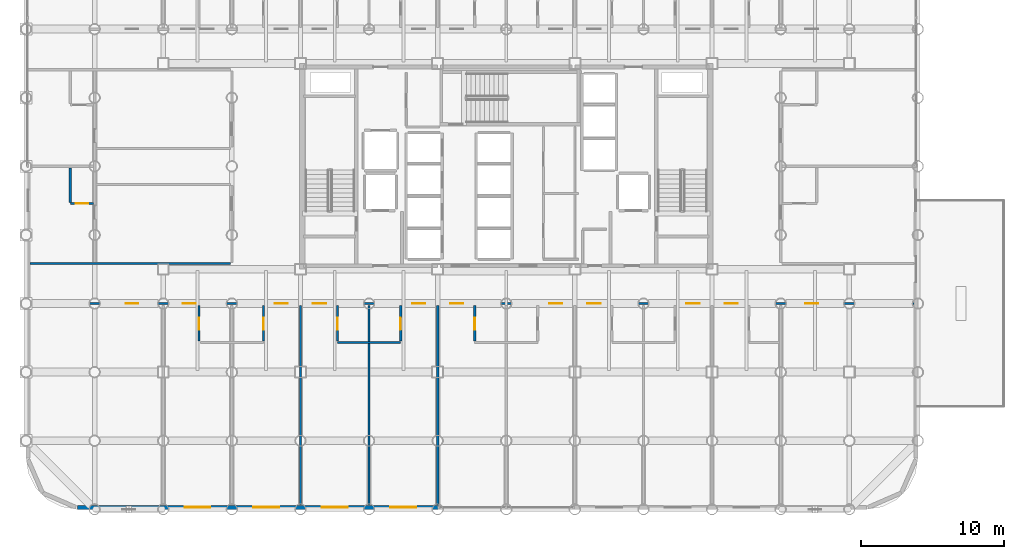
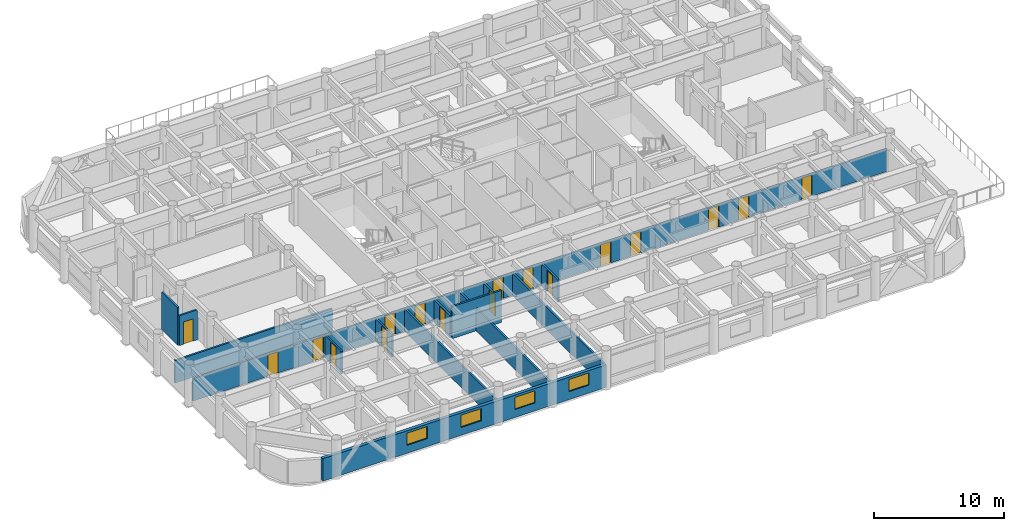
# One storey, part 17 of 24: 17 doors, 14 walls, 4 windows, 21 openings.
"""IFC4 building model written with IfcOpenShell, lengths in metres."""

from ifc_helpers import new_model, si_unit, direction, frame, frame_2d, origin, place, context, subcontext, project, spatial, rectangle, extrude, material, layer, layer_set, type_object, element, fill, save


model = new_model("IFC4")

# Units and contexts
model_context = context("Model", 3, precision=1e-05, world=origin(), true_north=direction((0.0, 1.0)))
body_context = subcontext(model_context, "Body", "Model", "MODEL_VIEW")
ifc_project = project(units=[si_unit("LENGTHUNIT", "METRE"), si_unit("AREAUNIT", "SQUARE_METRE"), si_unit("VOLUMEUNIT", "CUBIC_METRE"), si_unit("PLANEANGLEUNIT", "RADIAN"), si_unit("MASSUNIT", "GRAM", prefix="KILO")], contexts=[model_context])

# Site, building, storey
site_placement = place(None, origin())
site = spatial("IfcSite", under=ifc_project, at=site_placement, CompositionType="ELEMENT")
building_placement = place(site_placement, origin())
building = spatial("IfcBuilding", under=site, at=building_placement, Name="Kallvorn Hotel Tower", CompositionType="ELEMENT")
storey_placement = place(building_placement, frame((0.0, 0.0, 30.0)))
storey = spatial("IfcBuildingStorey", under=building, at=storey_placement, Name="L05", CompositionType="ELEMENT", Elevation=30.0)

# Wall
ifc_material_1 = material(Name="Fire-rated double-layer acoustic gypsum drywall EI 60")
ifc_layer_1 = layer(ifc_material_1, 0.159912109375)
ifc_layer_set_1 = layer_set([ifc_layer_1], Name="WL_DEMISE_160")
wall_type_1 = type_object("IfcWallType", Name="WL_DEMISE_160", PredefinedType="PARTITIONING", material=ifc_layer_set_1)
wall_1_placement = place(storey_placement, frame((-11.81005859375, -12.320068359375, 0.0), z_axis=(0.0, 0.0, 1.0), x_axis=(1.0, 0.0, 0.0)))
element("IfcWall", 1, at=wall_1_placement, inside=storey, type_object=wall_type_1, Name="L05 Suite 507 Superior Twin Room Partition", PredefinedType="PARTITIONING", context=body_context, shape_type="SweptSolid", body=[
    extrude(rectangle(XDim=4.420166015625, YDim=0.159912109375, at=frame_2d((2.2099609375, 0.0))), origin(), (0.0, 0.0, 1.0), 3.02001953125),
])

# Wall, openings, doors
wall_2_placement = place(storey_placement, frame((-33.31005859375, -9.60009765625, 0.0), z_axis=(0.0, 0.0, 1.0), x_axis=(1.0, 0.0, 0.0)))
wall_2 = element("IfcWall", 2, at=wall_2_placement, inside=storey, type_object=wall_type_1, Name="L05 Suite 505 Superior Twin Room Partition", PredefinedType="PARTITIONING", context=body_context, shape_type="SweptSolid", body=[
    extrude(rectangle(XDim=61.820068359375, YDim=0.159912109375, at=frame_2d((30.91015625, 0.0))), origin(), (0.0, 0.0, 1.0), 2.1201171875),
])
opening_1_placement = place(wall_2_placement, frame((6.679443359375, 0.0, 0.0)))
opening_1 = element("IfcOpeningElement", 3, at=opening_1_placement, cuts=wall_2, Name="Opening SVD1A", PredefinedType="OPENING", context=body_context, shape_type="SweptSolid", body=[
    extrude(rectangle(XDim=0.89990234375, YDim=2.02001953125, at=frame_2d((0.449951171875, 1.010009765625))), frame((0.0, 0.094970703125, 0.0), z_axis=(0.0, -1.0, 0.0), x_axis=(1.0, 0.0, 0.0)), (0.0, 0.0, 1.0), 0.18994140625),
])
opening_2_placement = place(wall_2_placement, frame((54.240478515625, 0.0, 0.0)))
opening_2 = element("IfcOpeningElement", 4, at=opening_2_placement, cuts=wall_2, Name="Opening SVD1A", PredefinedType="OPENING", context=body_context, shape_type="SweptSolid", body=[
    extrude(rectangle(XDim=0.89990234375, YDim=2.02001953125, at=frame_2d((0.449951171875, 1.010009765625))), frame((0.0, 0.094970703125, 0.0), z_axis=(0.0, -1.0, 0.0), x_axis=(1.0, 0.0, 0.0)), (0.0, 0.0, 1.0), 0.18994140625),
])
opening_3_placement = place(wall_2_placement, frame((10.679931640625, 0.0, 0.0)))
opening_3 = element("IfcOpeningElement", 5, at=opening_3_placement, cuts=wall_2, Name="Opening GD1A", PredefinedType="OPENING", context=body_context, shape_type="SweptSolid", body=[
    extrude(rectangle(XDim=0.919921875, YDim=2.02001953125, at=frame_2d((0.4599609375, 1.010009765625))), frame((0.0, 0.094970703125, 0.0), z_axis=(0.0, -1.0, 0.0), x_axis=(1.0, 0.0, 0.0)), (0.0, 0.0, 1.0), 0.18994140625),
])
opening_4_placement = place(wall_2_placement, frame((17.114990234375, 0.0, 0.0)))
opening_4 = element("IfcOpeningElement", 6, at=opening_4_placement, cuts=wall_2, Name="Opening GD1A", PredefinedType="OPENING", context=body_context, shape_type="SweptSolid", body=[
    extrude(rectangle(XDim=0.919921875, YDim=2.02001953125, at=frame_2d((0.4599609375, 1.010009765625))), frame((0.0, 0.094970703125, 0.0), z_axis=(0.0, -1.0, 0.0), x_axis=(1.0, 0.0, 0.0)), (0.0, 0.0, 1.0), 0.18994140625),
])
opening_5_placement = place(wall_2_placement, frame((19.784912109375, 0.0, 0.0)))
opening_5 = element("IfcOpeningElement", 7, at=opening_5_placement, cuts=wall_2, Name="Opening GD1A", PredefinedType="OPENING", context=body_context, shape_type="SweptSolid", body=[
    extrude(rectangle(XDim=0.919921875, YDim=2.02001953125, at=frame_2d((0.4599609375, 1.010009765625))), frame((0.0, 0.094970703125, 0.0), z_axis=(0.0, -1.0, 0.0), x_axis=(1.0, 0.0, 0.0)), (0.0, 0.0, 1.0), 0.18994140625),
])
opening_6_placement = place(wall_2_placement, frame((26.715087890625, 0.0, 0.0)))
opening_6 = element("IfcOpeningElement", 8, at=opening_6_placement, cuts=wall_2, Name="Opening GD1A", PredefinedType="OPENING", context=body_context, shape_type="SweptSolid", body=[
    extrude(rectangle(XDim=0.919921875, YDim=2.02001953125, at=frame_2d((0.4599609375, 1.010009765625))), frame((0.0, 0.094970703125, 0.0), z_axis=(0.0, -1.0, 0.0), x_axis=(1.0, 0.0, 0.0)), (0.0, 0.0, 1.0), 0.18994140625),
])
opening_7_placement = place(wall_2_placement, frame((29.385009765625, 0.0, 0.0)))
opening_7 = element("IfcOpeningElement", 9, at=opening_7_placement, cuts=wall_2, Name="Opening GD1A", PredefinedType="OPENING", context=body_context, shape_type="SweptSolid", body=[
    extrude(rectangle(XDim=0.919921875, YDim=2.02001953125, at=frame_2d((0.4599609375, 1.010009765625))), frame((0.0, 0.094970703125, 0.0), z_axis=(0.0, -1.0, 0.0), x_axis=(1.0, 0.0, 0.0)), (0.0, 0.0, 1.0), 0.18994140625),
])
opening_8_placement = place(wall_2_placement, frame((36.31494140625, 0.0, 0.0)))
opening_8 = element("IfcOpeningElement", 10, at=opening_8_placement, cuts=wall_2, Name="Opening GD1A", PredefinedType="OPENING", context=body_context, shape_type="SweptSolid", body=[
    extrude(rectangle(XDim=0.919921875, YDim=2.02001953125, at=frame_2d((0.4599609375, 1.010009765625))), frame((0.0, 0.094970703125, 0.0), z_axis=(0.0, -1.0, 0.0), x_axis=(1.0, 0.0, 0.0)), (0.0, 0.0, 1.0), 0.18994140625),
])
opening_9_placement = place(wall_2_placement, frame((38.985107421875, 0.0, 0.0)))
opening_9 = element("IfcOpeningElement", 11, at=opening_9_placement, cuts=wall_2, Name="Opening GD1A", PredefinedType="OPENING", context=body_context, shape_type="SweptSolid", body=[
    extrude(rectangle(XDim=0.919921875, YDim=2.02001953125, at=frame_2d((0.4599609375, 1.010009765625))), frame((0.0, 0.094970703125, 0.0), z_axis=(0.0, -1.0, 0.0), x_axis=(1.0, 0.0, 0.0)), (0.0, 0.0, 1.0), 0.18994140625),
])
opening_10_placement = place(wall_2_placement, frame((45.9150390625, 0.0, 0.0)))
opening_10 = element("IfcOpeningElement", 12, at=opening_10_placement, cuts=wall_2, Name="Opening GD1A", PredefinedType="OPENING", context=body_context, shape_type="SweptSolid", body=[
    extrude(rectangle(XDim=0.919921875, YDim=2.02001953125, at=frame_2d((0.4599609375, 1.010009765625))), frame((0.0, 0.094970703125, 0.0), z_axis=(0.0, -1.0, 0.0), x_axis=(1.0, 0.0, 0.0)), (0.0, 0.0, 1.0), 0.18994140625),
])
opening_11_placement = place(wall_2_placement, frame((48.5849609375, 0.0, 0.0)))
opening_11 = element("IfcOpeningElement", 13, at=opening_11_placement, cuts=wall_2, Name="Opening GD1A", PredefinedType="OPENING", context=body_context, shape_type="SweptSolid", body=[
    extrude(rectangle(XDim=0.919921875, YDim=2.02001953125, at=frame_2d((0.4599609375, 1.010009765625))), frame((0.0, 0.094970703125, 0.0), z_axis=(0.0, -1.0, 0.0), x_axis=(1.0, 0.0, 0.0)), (0.0, 0.0, 1.0), 0.18994140625),
])
ifc_material_2 = material(Name="Solid-core walnut veneer fire-rated timber door leaf", Category="wood")
door_type_1 = type_object("IfcDoorType", Name="DR_GUEST_920x2020", OperationType="NOTDEFINED", PredefinedType="DOOR", material=ifc_material_2)
door_1_placement = place(opening_3_placement, origin())
door_1 = element("IfcDoor", 14, at=door_1_placement, inside=storey, type_object=door_type_1, Name="L05 Suite 505 Superior Twin Room Door", OperationType="SINGLE_SWING_RIGHT", OverallHeight=2.02001953125, OverallWidth=0.919921875, PredefinedType="DOOR", context=body_context, shape_type="SweptSolid", body=[
    extrude(rectangle(XDim=0.919921875, YDim=2.02001953125, at=frame_2d((0.4599609375, 1.010009765625))), frame((0.0, 0.02490234375, 0.0), z_axis=(0.0, -1.0, 0.0), x_axis=(1.0, 0.0, 0.0)), (0.0, 0.0, 1.0), 0.050048828125),
])
fill(opening_3, door_1)
door_2_placement = place(opening_4_placement, origin())
door_2 = element("IfcDoor", 15, at=door_2_placement, inside=storey, type_object=door_type_1, Name="L05 Suite 506 Superior Twin Room Door", OperationType="SINGLE_SWING_LEFT", OverallHeight=2.02001953125, OverallWidth=0.919921875, PredefinedType="DOOR", context=body_context, shape_type="SweptSolid", body=[
    extrude(rectangle(XDim=0.919921875, YDim=2.02001953125, at=frame_2d((0.4599609375, 1.010009765625))), frame((0.0, 0.02490234375, 0.0), z_axis=(0.0, -1.0, 0.0), x_axis=(1.0, 0.0, 0.0)), (0.0, 0.0, 1.0), 0.050048828125),
])
fill(opening_4, door_2)
door_3_placement = place(opening_5_placement, origin())
door_3 = element("IfcDoor", 16, at=door_3_placement, inside=storey, type_object=door_type_1, Name="L05 Suite 507 Superior Twin Room Door", OperationType="SINGLE_SWING_LEFT", OverallHeight=2.02001953125, OverallWidth=0.919921875, PredefinedType="DOOR", context=body_context, shape_type="SweptSolid", body=[
    extrude(rectangle(XDim=0.919921875, YDim=2.02001953125, at=frame_2d((0.4599609375, 1.010009765625))), frame((0.0, 0.02490234375, 0.0), z_axis=(0.0, -1.0, 0.0), x_axis=(1.0, 0.0, 0.0)), (0.0, 0.0, 1.0), 0.050048828125),
])
fill(opening_5, door_3)
door_4_placement = place(opening_6_placement, origin())
door_4 = element("IfcDoor", 17, at=door_4_placement, inside=storey, type_object=door_type_1, Name="L05 Suite 508 Superior Twin Room Door", OperationType="SINGLE_SWING_RIGHT", OverallHeight=2.02001953125, OverallWidth=0.919921875, PredefinedType="DOOR", context=body_context, shape_type="SweptSolid", body=[
    extrude(rectangle(XDim=0.919921875, YDim=2.02001953125, at=frame_2d((0.4599609375, 1.010009765625))), frame((0.0, 0.02490234375, 0.0), z_axis=(0.0, -1.0, 0.0), x_axis=(1.0, 0.0, 0.0)), (0.0, 0.0, 1.0), 0.050048828125),
])
fill(opening_6, door_4)
door_5_placement = place(opening_7_placement, origin())
door_5 = element("IfcDoor", 18, at=door_5_placement, inside=storey, type_object=door_type_1, Name="L05 Suite 509 Superior Twin Room Door", OperationType="SINGLE_SWING_LEFT", OverallHeight=2.02001953125, OverallWidth=0.919921875, PredefinedType="DOOR", context=body_context, shape_type="SweptSolid", body=[
    extrude(rectangle(XDim=0.919921875, YDim=2.02001953125, at=frame_2d((0.4599609375, 1.010009765625))), frame((0.0, 0.02490234375, 0.0), z_axis=(0.0, -1.0, 0.0), x_axis=(1.0, 0.0, 0.0)), (0.0, 0.0, 1.0), 0.050048828125),
])
fill(opening_7, door_5)
door_6_placement = place(opening_8_placement, origin())
door_6 = element("IfcDoor", 19, at=door_6_placement, inside=storey, type_object=door_type_1, Name="L05 Suite 510 Superior Twin Room Door", OperationType="SINGLE_SWING_LEFT", OverallHeight=2.02001953125, OverallWidth=0.919921875, PredefinedType="DOOR", context=body_context, shape_type="SweptSolid", body=[
    extrude(rectangle(XDim=0.919921875, YDim=2.02001953125, at=frame_2d((0.4599609375, 1.010009765625))), frame((0.0, 0.02490234375, 0.0), z_axis=(0.0, -1.0, 0.0), x_axis=(1.0, 0.0, 0.0)), (0.0, 0.0, 1.0), 0.050048828125),
])
fill(opening_8, door_6)
door_7_placement = place(opening_9_placement, origin())
door_7 = element("IfcDoor", 20, at=door_7_placement, inside=storey, type_object=door_type_1, Name="L05 Suite 511 Superior Twin Room Door", OperationType="SINGLE_SWING_RIGHT", OverallHeight=2.02001953125, OverallWidth=0.919921875, PredefinedType="DOOR", context=body_context, shape_type="SweptSolid", body=[
    extrude(rectangle(XDim=0.919921875, YDim=2.02001953125, at=frame_2d((0.4599609375, 1.010009765625))), frame((0.0, 0.02490234375, 0.0), z_axis=(0.0, -1.0, 0.0), x_axis=(1.0, 0.0, 0.0)), (0.0, 0.0, 1.0), 0.050048828125),
])
fill(opening_9, door_7)
door_8_placement = place(opening_10_placement, origin())
door_8 = element("IfcDoor", 21, at=door_8_placement, inside=storey, type_object=door_type_1, Name="L05 Suite 512 Superior Twin Room Door", OperationType="SINGLE_SWING_RIGHT", OverallHeight=2.02001953125, OverallWidth=0.919921875, PredefinedType="DOOR", context=body_context, shape_type="SweptSolid", body=[
    extrude(rectangle(XDim=0.919921875, YDim=2.02001953125, at=frame_2d((0.4599609375, 1.010009765625))), frame((0.0, 0.02490234375, 0.0), z_axis=(0.0, -1.0, 0.0), x_axis=(1.0, 0.0, 0.0)), (0.0, 0.0, 1.0), 0.050048828125),
])
fill(opening_10, door_8)
door_9_placement = place(opening_11_placement, origin())
door_9 = element("IfcDoor", 22, at=door_9_placement, inside=storey, type_object=door_type_1, Name="L05 Suite 513 Superior Twin Room Door", OperationType="SINGLE_SWING_LEFT", OverallHeight=2.02001953125, OverallWidth=0.919921875, PredefinedType="DOOR", context=body_context, shape_type="SweptSolid", body=[
    extrude(rectangle(XDim=0.919921875, YDim=2.02001953125, at=frame_2d((0.4599609375, 1.010009765625))), frame((0.0, 0.02490234375, 0.0), z_axis=(0.0, -1.0, 0.0), x_axis=(1.0, 0.0, 0.0)), (0.0, 0.0, 1.0), 0.050048828125),
])
fill(opening_11, door_9)
ifc_material_3 = material(Name="Galvanised painted steel fire-rated door assembly", Category="steel")
door_type_2 = type_object("IfcDoorType", Name="DR_SERV_900x2020", OperationType="NOTDEFINED", PredefinedType="DOOR", material=ifc_material_3)
door_10_placement = place(opening_1_placement, origin())
door_10 = element("IfcDoor", 23, at=door_10_placement, inside=storey, type_object=door_type_2, Name="L05 L05 South-West Botanical Bar Door", OperationType="SINGLE_SWING_RIGHT", OverallHeight=2.02001953125, OverallWidth=0.89990234375, PredefinedType="DOOR", context=body_context, shape_type="SweptSolid", body=[
    extrude(rectangle(XDim=0.89990234375, YDim=2.02001953125, at=frame_2d((0.449951171875, 1.010009765625))), frame((0.0, 0.02490234375, 0.0), z_axis=(0.0, -1.0, 0.0), x_axis=(1.0, 0.0, 0.0)), (0.0, 0.0, 1.0), 0.050048828125),
])
fill(opening_1, door_10)
door_11_placement = place(opening_2_placement, origin())
door_11 = element("IfcDoor", 24, at=door_11_placement, inside=storey, type_object=door_type_2, Name="L05 L05 South-East Sommelier Bar Door", OperationType="SINGLE_SWING_RIGHT", OverallHeight=2.02001953125, OverallWidth=0.89990234375, PredefinedType="DOOR", context=body_context, shape_type="SweptSolid", body=[
    extrude(rectangle(XDim=0.89990234375, YDim=2.02001953125, at=frame_2d((0.449951171875, 1.010009765625))), frame((0.0, 0.02490234375, 0.0), z_axis=(0.0, -1.0, 0.0), x_axis=(1.0, 0.0, 0.0)), (0.0, 0.0, 1.0), 0.050048828125),
])
fill(opening_2, door_11)

# Wall
wall_3_placement = place(storey_placement, frame((-33.31005859375, -6.800048828125, 0.0), z_axis=(0.0, 0.0, 1.0), x_axis=(1.0, 0.0, 0.0)))
element("IfcWall", 25, at=wall_3_placement, inside=storey, type_object=wall_type_1, Name="L05 Suite 501 W Loggia King Room Partition", PredefinedType="PARTITIONING", context=body_context, shape_type="SweptSolid", body=[
    extrude(rectangle(XDim=14.030029296875, YDim=0.159912109375, at=frame_2d((7.01513671875, 0.0))), origin(), (0.0, 0.0, 1.0), 2.1201171875),
])

# Wall, opening, door
wall_4_placement = place(storey_placement, frame((-30.5, -2.60009765625, 0.0), z_axis=(0.0, 0.0, 1.0), x_axis=(1.0, 0.0, 0.0)))
wall_4 = element("IfcWall", 26, at=wall_4_placement, inside=storey, type_object=wall_type_1, Name="L05 Suite 501 W Loggia King Room Partition", PredefinedType="PARTITIONING", context=body_context, shape_type="SweptSolid", body=[
    extrude(rectangle(XDim=1.6201171875, YDim=0.159912109375, at=frame_2d((0.81005859375, 0.0))), origin(), (0.0, 0.0, 1.0), 2.820068359375),
])
opening_12_placement = place(wall_4_placement, frame((0.3798828125, 0.0, 0.0)))
opening_12 = element("IfcOpeningElement", 27, at=opening_12_placement, cuts=wall_4, Name="Opening BD-I", PredefinedType="OPENING", context=body_context, shape_type="SweptSolid", body=[
    extrude(rectangle(XDim=0.860107421875, YDim=2.10009765625, at=frame_2d((0.43017578125, 1.050048828125))), frame((0.0, 0.094970703125, 0.0), z_axis=(0.0, -1.0, 0.0), x_axis=(1.0, 0.0, 0.0)), (0.0, 0.0, 1.0), 0.18994140625),
])
ifc_material_4 = material(Name="Solid-core walnut veneer fire-rated timber door leaf", Category="wood")
door_type_3 = type_object("IfcDoorType", Name="DR_BATH_860x2100", OperationType="NOTDEFINED", PredefinedType="DOOR", material=ifc_material_4)
door_12_placement = place(opening_12_placement, origin())
door_12 = element("IfcDoor", 28, at=door_12_placement, inside=storey, type_object=door_type_3, Name="L05 Suite 501 En-Suite Bathroom Door", OperationType="SINGLE_SWING_RIGHT", OverallHeight=2.10009765625, OverallWidth=0.860107421875, PredefinedType="DOOR", context=body_context, shape_type="SweptSolid", body=[
    extrude(rectangle(XDim=0.860107421875, YDim=2.10009765625, at=frame_2d((0.43017578125, 1.050048828125))), frame((0.0, 0.02490234375, 0.0), z_axis=(0.0, -1.0, 0.0), x_axis=(1.0, 0.0, 0.0)), (0.0, 0.0, 1.0), 0.050048828125),
])
fill(opening_12, door_12)

# Wall
wall_5_placement = place(storey_placement, frame((-30.5, -2.514892578125, 0.0), z_axis=(0.0, 0.0, 1.0), x_axis=(0.0, 1.0, 0.0)))
element("IfcWall", 29, at=wall_5_placement, inside=storey, type_object=wall_type_1, Name="L05 Suite 501 W Loggia King Room Partition", PredefinedType="PARTITIONING", context=body_context, shape_type="SweptSolid", body=[
    extrude(rectangle(XDim=2.414794921875, YDim=0.159912109375, at=frame_2d((1.20751953125, 0.0))), origin(), (0.0, 0.0, 1.0), 3.52001953125),
])

# Wall, opening, door
wall_6_placement = place(storey_placement, frame((-21.5048828125, -12.235107421875, 0.0), z_axis=(0.0, 0.0, 1.0), x_axis=(0.0, 1.0, 0.0)))
wall_6 = element("IfcWall", 30, at=wall_6_placement, inside=storey, type_object=wall_type_1, Name="L05 Suite 505 Superior Twin Room Partition", PredefinedType="PARTITIONING", context=body_context, shape_type="SweptSolid", body=[
    extrude(rectangle(XDim=2.51513671875, YDim=0.159912109375, at=frame_2d((1.257568359375, 0.0))), origin(), (0.0, 0.0, 1.0), 2.1201171875),
])
opening_13_placement = place(wall_6_placement, frame((0.784912109375, 0.0, 0.0)))
opening_13 = element("IfcOpeningElement", 31, at=opening_13_placement, cuts=wall_6, Name="Opening BD-IA", PredefinedType="OPENING", context=body_context, shape_type="SweptSolid", body=[
    extrude(rectangle(XDim=0.860107421875, YDim=2.02001953125, at=frame_2d((0.43017578125, 1.010009765625))), frame((0.0, 0.094970703125, 0.0), z_axis=(0.0, -1.0, 0.0), x_axis=(1.0, 0.0, 0.0)), (0.0, 0.0, 1.0), 0.18994140625),
])
ifc_material_5 = material(Name="Solid-core walnut veneer fire-rated timber door leaf", Category="wood")
door_type_4 = type_object("IfcDoorType", Name="DR_BATH_860x2020", OperationType="NOTDEFINED", PredefinedType="DOOR", material=ifc_material_5)
door_13_placement = place(opening_13_placement, origin())
door_13 = element("IfcDoor", 32, at=door_13_placement, inside=storey, type_object=door_type_4, Name="L05 Suite 505 En-Suite Bathroom Door", OperationType="SINGLE_SWING_RIGHT", OverallHeight=2.02001953125, OverallWidth=0.860107421875, PredefinedType="DOOR", context=body_context, shape_type="SweptSolid", body=[
    extrude(rectangle(XDim=0.860107421875, YDim=2.02001953125, at=frame_2d((0.43017578125, 1.010009765625))), frame((0.0, 0.02490234375, 0.0), z_axis=(0.0, -1.0, 0.0), x_axis=(1.0, 0.0, 0.0)), (0.0, 0.0, 1.0), 0.050048828125),
])
fill(opening_13, door_13)

wall_7_placement = place(storey_placement, frame((-16.989990234375, -12.235107421875, 0.0), z_axis=(0.0, 0.0, 1.0), x_axis=(0.0, 1.0, 0.0)))
wall_7 = element("IfcWall", 33, at=wall_7_placement, inside=storey, type_object=wall_type_1, Name="L05 Suite 506 Superior Twin Room Partition", PredefinedType="PARTITIONING", context=body_context, shape_type="SweptSolid", body=[
    extrude(rectangle(XDim=2.51513671875, YDim=0.159912109375, at=frame_2d((1.257568359375, 0.0))), origin(), (0.0, 0.0, 1.0), 2.1201171875),
])
opening_14_placement = place(wall_7_placement, frame((0.784912109375, 0.0, 0.0)))
opening_14 = element("IfcOpeningElement", 34, at=opening_14_placement, cuts=wall_7, Name="Opening BD-IA", PredefinedType="OPENING", context=body_context, shape_type="SweptSolid", body=[
    extrude(rectangle(XDim=0.860107421875, YDim=2.02001953125, at=frame_2d((0.43017578125, 1.010009765625))), frame((0.0, 0.094970703125, 0.0), z_axis=(0.0, -1.0, 0.0), x_axis=(1.0, 0.0, 0.0)), (0.0, 0.0, 1.0), 0.18994140625),
])
door_14_placement = place(opening_14_placement, origin())
door_14 = element("IfcDoor", 35, at=door_14_placement, inside=storey, type_object=door_type_4, Name="L05 Suite 506 En-Suite Bathroom Door", OperationType="SINGLE_SWING_RIGHT", OverallHeight=2.02001953125, OverallWidth=0.860107421875, PredefinedType="DOOR", context=body_context, shape_type="SweptSolid", body=[
    extrude(rectangle(XDim=0.860107421875, YDim=2.02001953125, at=frame_2d((0.43017578125, 1.010009765625))), frame((0.0, 0.02490234375, 0.0), z_axis=(0.0, -1.0, 0.0), x_axis=(1.0, 0.0, 0.0)), (0.0, 0.0, 1.0), 0.050048828125),
])
fill(opening_14, door_14)

# Wall
wall_8_placement = place(storey_placement, frame((-14.39990234375, -23.7099609375, 0.0), z_axis=(0.0, 0.0, 1.0), x_axis=(0.0, 1.0, 0.0)))
element("IfcWall", 36, at=wall_8_placement, inside=storey, type_object=wall_type_1, Name="L05 Suite 506 Superior Twin Room Partition", PredefinedType="PARTITIONING", context=body_context, shape_type="SweptSolid", body=[
    extrude(rectangle(XDim=13.989990234375, YDim=0.159912109375, at=frame_2d((6.9951171875, 0.0))), origin(), (0.0, 0.0, 1.0), 2.1201171875),
])

# Wall, opening, door
wall_9_placement = place(storey_placement, frame((-11.81005859375, -12.235107421875, 0.0), z_axis=(0.0, 0.0, 1.0), x_axis=(0.0, 1.0, 0.0)))
wall_9 = element("IfcWall", 37, at=wall_9_placement, inside=storey, type_object=wall_type_1, Name="L05 Suite 507 Superior Twin Room Partition", PredefinedType="PARTITIONING", context=body_context, shape_type="SweptSolid", body=[
    extrude(rectangle(XDim=2.51513671875, YDim=0.159912109375, at=frame_2d((1.257568359375, 0.0))), origin(), (0.0, 0.0, 1.0), 2.1201171875),
])
opening_15_placement = place(wall_9_placement, frame((0.784912109375, 0.0, 0.0)))
opening_15 = element("IfcOpeningElement", 38, at=opening_15_placement, cuts=wall_9, Name="Opening BD-IA", PredefinedType="OPENING", context=body_context, shape_type="SweptSolid", body=[
    extrude(rectangle(XDim=0.860107421875, YDim=2.02001953125, at=frame_2d((0.43017578125, 1.010009765625))), frame((0.0, 0.094970703125, 0.0), z_axis=(0.0, -1.0, 0.0), x_axis=(1.0, 0.0, 0.0)), (0.0, 0.0, 1.0), 0.18994140625),
])
door_15_placement = place(opening_15_placement, origin())
door_15 = element("IfcDoor", 39, at=door_15_placement, inside=storey, type_object=door_type_4, Name="L05 Suite 507 En-Suite Bathroom Door", OperationType="SINGLE_SWING_RIGHT", OverallHeight=2.02001953125, OverallWidth=0.860107421875, PredefinedType="DOOR", context=body_context, shape_type="SweptSolid", body=[
    extrude(rectangle(XDim=0.860107421875, YDim=2.02001953125, at=frame_2d((0.43017578125, 1.010009765625))), frame((0.0, 0.02490234375, 0.0), z_axis=(0.0, -1.0, 0.0), x_axis=(1.0, 0.0, 0.0)), (0.0, 0.0, 1.0), 0.050048828125),
])
fill(opening_15, door_15)

# Wall
wall_10_placement = place(storey_placement, frame((-9.60009765625, -23.7099609375, 0.0), z_axis=(0.0, 0.0, 1.0), x_axis=(0.0, 1.0, 0.0)))
element("IfcWall", 40, at=wall_10_placement, inside=storey, type_object=wall_type_1, Name="L05 Suite 507 Superior Twin Room Partition", PredefinedType="PARTITIONING", context=body_context, shape_type="SweptSolid", body=[
    extrude(rectangle(XDim=13.989990234375, YDim=0.159912109375, at=frame_2d((6.9951171875, 0.0))), origin(), (0.0, 0.0, 1.0), 2.1201171875),
])

# Wall, opening, door
wall_11_placement = place(storey_placement, frame((-7.389892578125, -12.235107421875, 0.0), z_axis=(0.0, 0.0, 1.0), x_axis=(0.0, 1.0, 0.0)))
wall_11 = element("IfcWall", 41, at=wall_11_placement, inside=storey, type_object=wall_type_1, Name="L05 Suite 508 Superior Twin Room Partition", PredefinedType="PARTITIONING", context=body_context, shape_type="SweptSolid", body=[
    extrude(rectangle(XDim=2.51513671875, YDim=0.159912109375, at=frame_2d((1.257568359375, 0.0))), origin(), (0.0, 0.0, 1.0), 2.1201171875),
])
opening_16_placement = place(wall_11_placement, frame((0.784912109375, 0.0, 0.0)))
opening_16 = element("IfcOpeningElement", 42, at=opening_16_placement, cuts=wall_11, Name="Opening BD-IA", PredefinedType="OPENING", context=body_context, shape_type="SweptSolid", body=[
    extrude(rectangle(XDim=0.860107421875, YDim=2.02001953125, at=frame_2d((0.43017578125, 1.010009765625))), frame((0.0, 0.094970703125, 0.0), z_axis=(0.0, -1.0, 0.0), x_axis=(1.0, 0.0, 0.0)), (0.0, 0.0, 1.0), 0.18994140625),
])
door_16_placement = place(opening_16_placement, origin())
door_16 = element("IfcDoor", 43, at=door_16_placement, inside=storey, type_object=door_type_4, Name="L05 Suite 508 En-Suite Bathroom Door", OperationType="SINGLE_SWING_RIGHT", OverallHeight=2.02001953125, OverallWidth=0.860107421875, PredefinedType="DOOR", context=body_context, shape_type="SweptSolid", body=[
    extrude(rectangle(XDim=0.860107421875, YDim=2.02001953125, at=frame_2d((0.43017578125, 1.010009765625))), frame((0.0, 0.02490234375, 0.0), z_axis=(0.0, -1.0, 0.0), x_axis=(1.0, 0.0, 0.0)), (0.0, 0.0, 1.0), 0.050048828125),
])
fill(opening_16, door_16)

# Wall
wall_12_placement = place(storey_placement, frame((-4.800048828125, -23.7099609375, 0.0), z_axis=(0.0, 0.0, 1.0), x_axis=(0.0, 1.0, 0.0)))
element("IfcWall", 44, at=wall_12_placement, inside=storey, type_object=wall_type_1, Name="L05 Suite 508 Superior Twin Room Partition", PredefinedType="PARTITIONING", context=body_context, shape_type="SweptSolid", body=[
    extrude(rectangle(XDim=13.989990234375, YDim=0.159912109375, at=frame_2d((6.9951171875, 0.0))), origin(), (0.0, 0.0, 1.0), 2.1201171875),
])

# Wall, opening, door
wall_13_placement = place(storey_placement, frame((-2.2099609375, -12.235107421875, 0.0), z_axis=(0.0, 0.0, 1.0), x_axis=(0.0, 1.0, 0.0)))
wall_13 = element("IfcWall", 45, at=wall_13_placement, inside=storey, type_object=wall_type_1, Name="L05 Suite 509 Superior Twin Room Partition", PredefinedType="PARTITIONING", context=body_context, shape_type="SweptSolid", body=[
    extrude(rectangle(XDim=2.51513671875, YDim=0.159912109375, at=frame_2d((1.257568359375, 0.0))), origin(), (0.0, 0.0, 1.0), 2.1201171875),
])
opening_17_placement = place(wall_13_placement, frame((0.784912109375, 0.0, 0.0)))
opening_17 = element("IfcOpeningElement", 46, at=opening_17_placement, cuts=wall_13, Name="Opening BD-IA", PredefinedType="OPENING", context=body_context, shape_type="SweptSolid", body=[
    extrude(rectangle(XDim=0.860107421875, YDim=2.02001953125, at=frame_2d((0.43017578125, 1.010009765625))), frame((0.0, 0.094970703125, 0.0), z_axis=(0.0, -1.0, 0.0), x_axis=(1.0, 0.0, 0.0)), (0.0, 0.0, 1.0), 0.18994140625),
])
door_17_placement = place(opening_17_placement, origin())
door_17 = element("IfcDoor", 47, at=door_17_placement, inside=storey, type_object=door_type_4, Name="L05 Suite 509 En-Suite Bathroom Door", OperationType="SINGLE_SWING_RIGHT", OverallHeight=2.02001953125, OverallWidth=0.860107421875, PredefinedType="DOOR", context=body_context, shape_type="SweptSolid", body=[
    extrude(rectangle(XDim=0.860107421875, YDim=2.02001953125, at=frame_2d((0.43017578125, 1.010009765625))), frame((0.0, 0.02490234375, 0.0), z_axis=(0.0, -1.0, 0.0), x_axis=(1.0, 0.0, 0.0)), (0.0, 0.0, 1.0), 0.050048828125),
])
fill(opening_17, door_17)

# Wall, openings, windows
ifc_material_6 = material(Name="Precast basalt-clad insulated concrete wall C40/50", Category="masonry")
ifc_layer_2 = layer(ifc_material_6, 0.280029296875)
ifc_layer_set_2 = layer_set([ifc_layer_2], Name="WL_EXT_LOGGIA_280")
wall_type_2 = type_object("IfcWallType", Name="WL_EXT_LOGGIA_280", PredefinedType="SOLIDWALL", material=ifc_layer_set_2)
wall_14_placement = place(storey_placement, frame((-30.0, -23.860107421875, 0.0), z_axis=(0.0, 0.0, 1.0), x_axis=(1.0, 0.0, 0.0)))
wall_14 = element("IfcWall", 48, at=wall_14_placement, inside=storey, type_object=wall_type_2, Name="L05 Exterior Envelope Wall EW-L05-SW", PredefinedType="SOLIDWALL", context=body_context, shape_type="SweptSolid", body=[
    extrude(rectangle(XDim=25.25, YDim=0.280029296875, at=frame_2d((12.625, 0.0))), origin(), (0.0, 0.0, 1.0), 2.1201171875),
])
opening_18_placement = place(wall_14_placement, frame((7.5, 0.0, 0.75)))
opening_18 = element("IfcOpeningElement", 49, at=opening_18_placement, cuts=wall_14, Name="Opening W04A", PredefinedType="OPENING", context=body_context, shape_type="SweptSolid", body=[
    extrude(rectangle(XDim=1.800048828125, YDim=1.14990234375, at=frame_2d((0.89990234375, 0.574951171875))), frame((0.0, 0.155029296875, 0.0), z_axis=(0.0, -1.0, 0.0), x_axis=(1.0, 0.0, 0.0)), (0.0, 0.0, 1.0), 0.31005859375),
])
opening_19_placement = place(wall_14_placement, frame((12.300048828125, 0.0, 0.75)))
opening_19 = element("IfcOpeningElement", 50, at=opening_19_placement, cuts=wall_14, Name="Opening W04A", PredefinedType="OPENING", context=body_context, shape_type="SweptSolid", body=[
    extrude(rectangle(XDim=1.800048828125, YDim=1.14990234375, at=frame_2d((0.89990234375, 0.574951171875))), frame((0.0, 0.155029296875, 0.0), z_axis=(0.0, -1.0, 0.0), x_axis=(1.0, 0.0, 0.0)), (0.0, 0.0, 1.0), 0.31005859375),
])
opening_20_placement = place(wall_14_placement, frame((17.10009765625, 0.0, 0.75)))
opening_20 = element("IfcOpeningElement", 51, at=opening_20_placement, cuts=wall_14, Name="Opening W04A", PredefinedType="OPENING", context=body_context, shape_type="SweptSolid", body=[
    extrude(rectangle(XDim=1.800048828125, YDim=1.14990234375, at=frame_2d((0.89990234375, 0.574951171875))), frame((0.0, 0.155029296875, 0.0), z_axis=(0.0, -1.0, 0.0), x_axis=(1.0, 0.0, 0.0)), (0.0, 0.0, 1.0), 0.31005859375),
])
opening_21_placement = place(wall_14_placement, frame((21.89990234375, 0.0, 0.75)))
opening_21 = element("IfcOpeningElement", 52, at=opening_21_placement, cuts=wall_14, Name="Opening W04A", PredefinedType="OPENING", context=body_context, shape_type="SweptSolid", body=[
    extrude(rectangle(XDim=1.800048828125, YDim=1.14990234375, at=frame_2d((0.89990234375, 0.574951171875))), frame((0.0, 0.155029296875, 0.0), z_axis=(0.0, -1.0, 0.0), x_axis=(1.0, 0.0, 0.0)), (0.0, 0.0, 1.0), 0.31005859375),
])
ifc_material_7 = material(Name="Double-glazed low-e solar-control dark glass", Category="glass")
window_type = type_object("IfcWindowType", Name="WN_HTL_1800x1150", PartitioningType="SINGLE_PANEL", PredefinedType="WINDOW", material=ifc_material_7)
window_1_placement = place(opening_18_placement, origin())
window_1 = element("IfcWindow", 53, at=window_1_placement, inside=storey, type_object=window_type, Name="L05 Guestroom Exterior Window 03", OverallHeight=1.14990234375, OverallWidth=1.800048828125, PartitioningType="SINGLE_PANEL", PredefinedType="WINDOW", context=body_context, shape_type="SweptSolid", body=[
    extrude(rectangle(XDim=1.800048828125, YDim=1.14990234375, at=frame_2d((0.89990234375, 0.574951171875))), frame((0.0, 0.030029296875, 0.0), z_axis=(0.0, -1.0, 0.0), x_axis=(1.0, 0.0, 0.0)), (0.0, 0.0, 1.0), 0.06005859375),
])
fill(opening_18, window_1)
window_2_placement = place(opening_19_placement, origin())
window_2 = element("IfcWindow", 54, at=window_2_placement, inside=storey, type_object=window_type, Name="L05 Guestroom Exterior Window 04", OverallHeight=1.14990234375, OverallWidth=1.800048828125, PartitioningType="SINGLE_PANEL", PredefinedType="WINDOW", context=body_context, shape_type="SweptSolid", body=[
    extrude(rectangle(XDim=1.800048828125, YDim=1.14990234375, at=frame_2d((0.89990234375, 0.574951171875))), frame((0.0, 0.030029296875, 0.0), z_axis=(0.0, -1.0, 0.0), x_axis=(1.0, 0.0, 0.0)), (0.0, 0.0, 1.0), 0.06005859375),
])
fill(opening_19, window_2)
window_3_placement = place(opening_20_placement, origin())
window_3 = element("IfcWindow", 55, at=window_3_placement, inside=storey, type_object=window_type, Name="L05 Guestroom Exterior Window 05", OverallHeight=1.14990234375, OverallWidth=1.800048828125, PartitioningType="SINGLE_PANEL", PredefinedType="WINDOW", context=body_context, shape_type="SweptSolid", body=[
    extrude(rectangle(XDim=1.800048828125, YDim=1.14990234375, at=frame_2d((0.89990234375, 0.574951171875))), frame((0.0, 0.030029296875, 0.0), z_axis=(0.0, -1.0, 0.0), x_axis=(1.0, 0.0, 0.0)), (0.0, 0.0, 1.0), 0.06005859375),
])
fill(opening_20, window_3)
window_4_placement = place(opening_21_placement, origin())
window_4 = element("IfcWindow", 56, at=window_4_placement, inside=storey, type_object=window_type, Name="L05 Guestroom Exterior Window 06", OverallHeight=1.14990234375, OverallWidth=1.800048828125, PartitioningType="SINGLE_PANEL", PredefinedType="WINDOW", context=body_context, shape_type="SweptSolid", body=[
    extrude(rectangle(XDim=1.800048828125, YDim=1.14990234375, at=frame_2d((0.89990234375, 0.574951171875))), frame((0.0, 0.030029296875, 0.0), z_axis=(0.0, -1.0, 0.0), x_axis=(1.0, 0.0, 0.0)), (0.0, 0.0, 1.0), 0.06005859375),
])
fill(opening_21, window_4)

save(model, "model.ifc")
